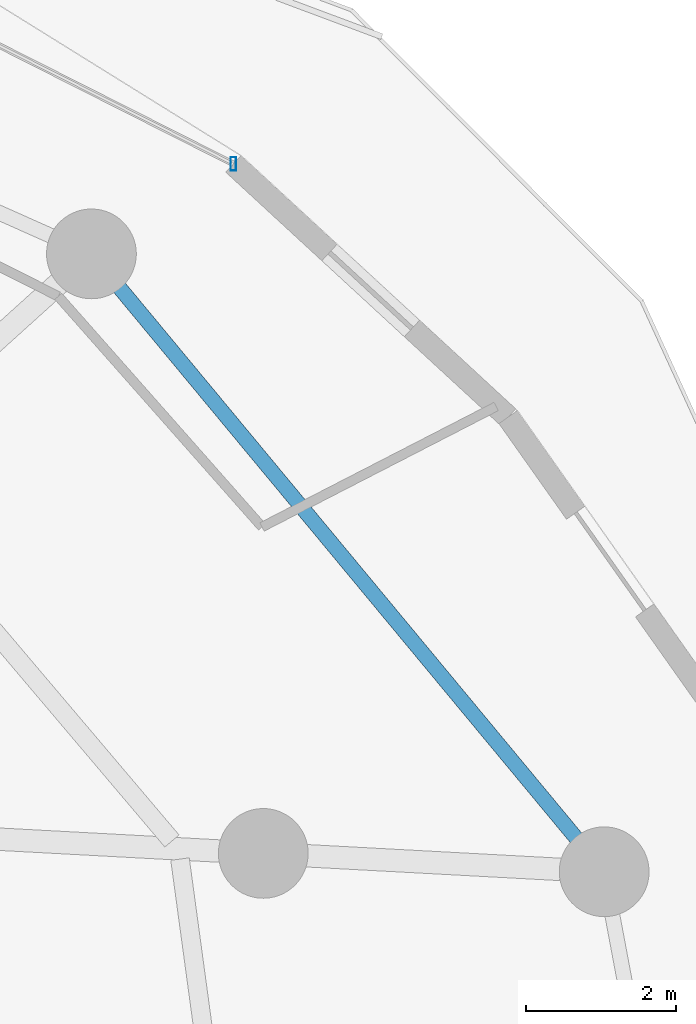
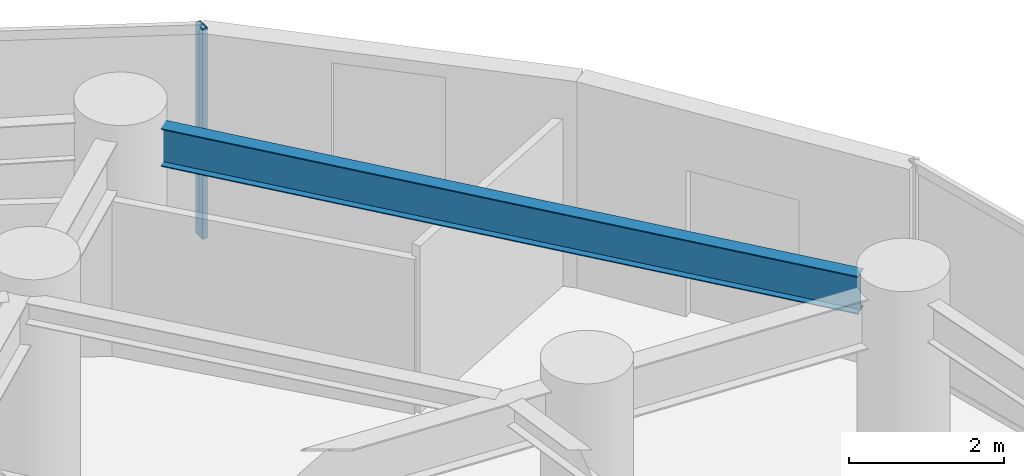
# One storey, part 24 of 33: 1 beam, 1 member, 1 element without a shape of its own.
"""IFC4 building model written with IfcOpenShell, lengths in metres."""

from ifc_helpers import new_model, si_unit, direction, frame, origin, origin_2d, place, context, subcontext, project, spatial, hollow_rectangle, i_section, extrude, material, material_profile, profile_set, type_object, element, aggregate, save


model = new_model("IFC4")

# Units and contexts
model_context = context("Model", 3, precision=1e-05, world=origin(), true_north=direction((0.0, 1.0)))
body_context = subcontext(model_context, "Body", "Model", "MODEL_VIEW")
ifc_project = project(units=[si_unit("LENGTHUNIT", "METRE"), si_unit("AREAUNIT", "SQUARE_METRE"), si_unit("VOLUMEUNIT", "CUBIC_METRE"), si_unit("PLANEANGLEUNIT", "RADIAN"), si_unit("MASSUNIT", "GRAM", prefix="KILO")], contexts=[model_context])

# Site, building, storey
site_placement = place(None, origin())
site = spatial("IfcSite", under=ifc_project, at=site_placement, CompositionType="ELEMENT")
building_placement = place(site_placement, origin())
building = spatial("IfcBuilding", under=site, at=building_placement, Name="Vorneva Point Tower", CompositionType="ELEMENT")
storey_placement = place(building_placement, frame((0.0, 0.0, 59.0)))
storey = spatial("IfcBuildingStorey", under=building, at=storey_placement, Name="L15", CompositionType="ELEMENT", Elevation=59.0)

# Beam
ifc_material_1 = material(Name="Steel S355", Category="steel")
ifc_material_profile_1 = material_profile(ifc_material_1, i_section(OverallWidth=0.198974609375, OverallDepth=0.595947265625, WebThickness=0.010009765625, FlangeThickness=0.014892578125, at=origin_2d()), Name="60B1")
ifc_profile_set_1 = profile_set([ifc_material_profile_1], Name="Steel S355")
beam_type = type_object("IfcBeamType", Name="BM-SPN-60B1", PredefinedType="SPANDREL", material=ifc_profile_set_1)
beam_placement = place(storey_placement, frame((63.48095703125, 32.786865234375, 2.94189453125), z_axis=(-0.63859176117, 0.769545685821, 0.0), x_axis=(-0.769545685821, -0.63859176117, 0.0)))
element("IfcBeam", 1, at=beam_placement, inside=storey, type_object=beam_type, Name="L15 Perimeter Spandrel Ring Beam 02", PredefinedType="SPANDREL", context=body_context, shape_type="SweptSolid", body=[
    extrude(i_section(OverallWidth=0.198974609375, OverallDepth=0.595947265625, WebThickness=0.010009765625, FlangeThickness=0.014892578125, at=origin_2d()), origin(), (0.0, 0.0, 1.0), 9.567626953125),
])

# Curtain wall, member
ifc_material_2 = material(Name="Pale anodised aluminium", Category="aluminium")
curtain_wall_type = type_object("IfcCurtainWallType", Name="CW-HTL-SYS", PredefinedType="NOTDEFINED", material=ifc_material_2)
curtain_wall_placement = place(storey_placement, origin())
curtain_wall = element("IfcCurtainWall", 2, at=curtain_wall_placement, inside=storey, type_object=curtain_wall_type, Name="L15 Unitised Curtain Wall CW-L15-R02", PredefinedType="NOTDEFINED")
ifc_material_profile_2 = material_profile(ifc_material_2, hollow_rectangle(XDim=0.074951171875, YDim=0.179931640625, WallThickness=0.00390625, at=origin_2d()), Name="AL-MUL 180x75x4")
ifc_profile_set_2 = profile_set([ifc_material_profile_2], Name="Pale anodised aluminium")
member_type = type_object("IfcMemberType", Name="CW-MUL-180", PredefinedType="MULLION", material=ifc_profile_set_2)
member_placement = place(storey_placement, frame((58.89501953125, 41.8037109375, -0.0400390625), z_axis=(0.0, 0.0, 1.0), x_axis=(1.0, 0.0, 0.0)))
member = element("IfcMember", 3, at=member_placement, type_object=member_type, Name="CW-L15-R02 Mullion 01", PredefinedType="MULLION", context=body_context, shape_type="SweptSolid", body=[
    extrude(hollow_rectangle(XDim=0.074951171875, YDim=0.179931640625, WallThickness=0.00390625, at=origin_2d()), origin(), (0.0, 0.0, 1.0), 3.31005859375),
])
aggregate(curtain_wall, [member])

save(model, "model.ifc")
